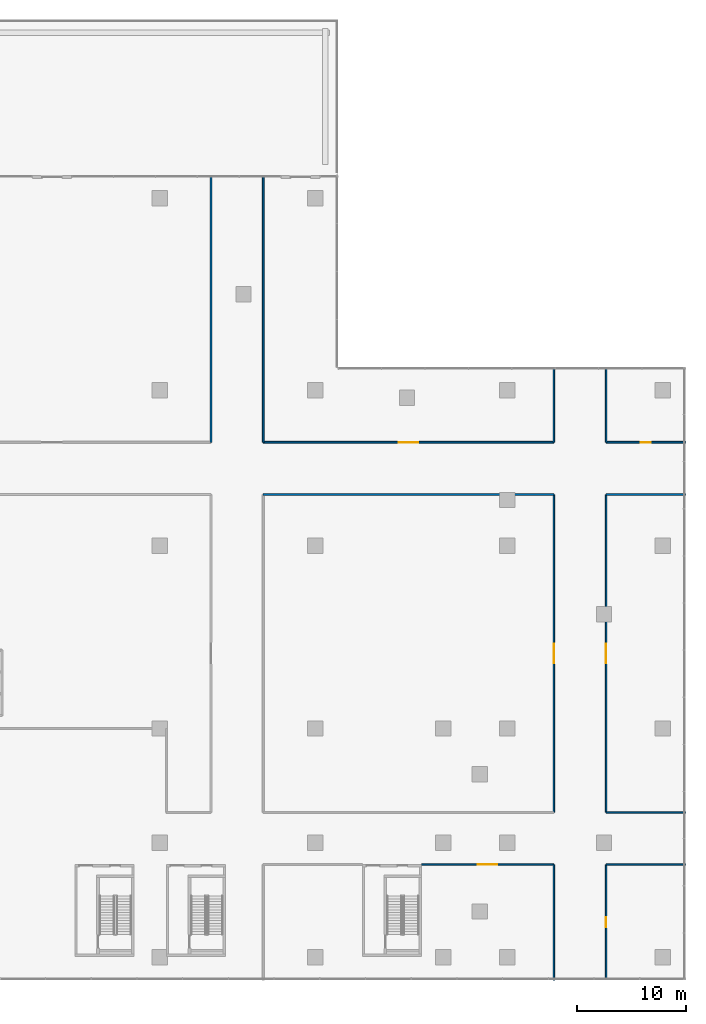
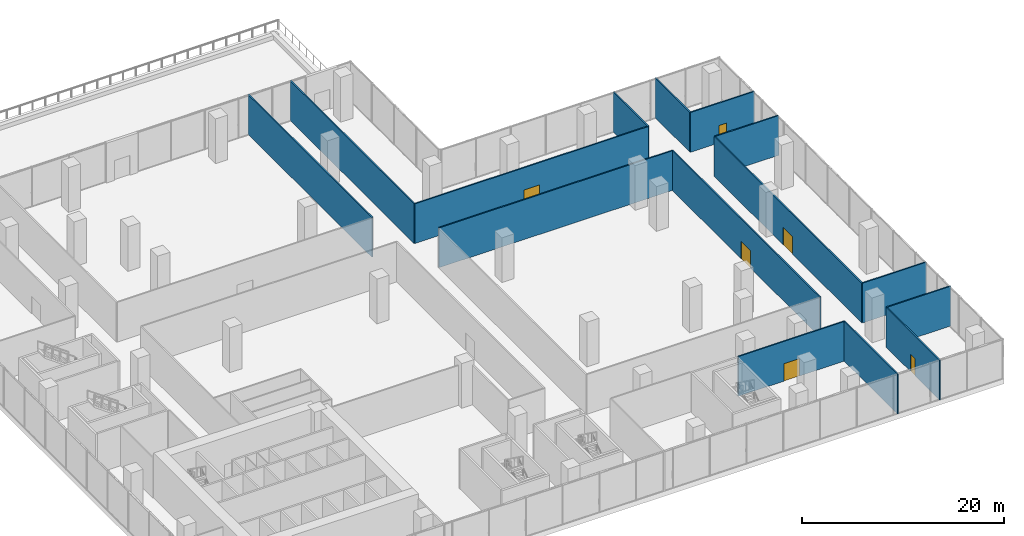
# One storey, part 17 of 24: 15 walls, 6 doors, 6 openings.
"""IFC4 building model written with IfcOpenShell, lengths in metres."""

from ifc_helpers import new_model, si_unit, direction, frame, frame_2d, origin, place, context, subcontext, project, spatial, rectangle, extrude, source, transform, mapped, material, layer, layer_set, type_object, element, fill, save


model = new_model("IFC4")

# Units and contexts
model_context = context("Model", 3, precision=1e-05, world=origin(), true_north=direction((0.0, 1.0)))
body_context = subcontext(model_context, "Body", "Model", "MODEL_VIEW")
ifc_project = project(units=[si_unit("LENGTHUNIT", "METRE"), si_unit("AREAUNIT", "SQUARE_METRE"), si_unit("VOLUMEUNIT", "CUBIC_METRE"), si_unit("PLANEANGLEUNIT", "RADIAN"), si_unit("MASSUNIT", "GRAM", prefix="KILO")], contexts=[model_context])

# Site, building, storey
site_placement = place(None, origin())
site = spatial("IfcSite", under=ifc_project, at=site_placement, CompositionType="ELEMENT")
building_placement = place(site_placement, origin())
building = spatial("IfcBuilding", under=site, at=building_placement, Name="Aurelian Terraces", CompositionType="ELEMENT")
storey_placement = place(building_placement, frame((0.0, 0.0, 12.9)))
storey = spatial("IfcBuildingStorey", under=building, at=storey_placement, Name="L02", CompositionType="ELEMENT", Elevation=12.9)

# Walls
ifc_material_1 = material(Name="Gypsum board on steel studs", Category="steel")
ifc_layer = layer(ifc_material_1, 0.15)
ifc_layer_set = layer_set([ifc_layer], Name="Special partition 150")
wall_type = type_object("IfcWallType", Name="Special partition 150", PredefinedType="PARTITIONING", material=ifc_layer_set)
shared_shape_1 = source(origin(), body_context, "Body", "SweptSolid", [
    extrude(rectangle(XDim=7.3, YDim=0.15, at=frame_2d((3.65, 0.0))), origin(), (0.0, 0.0, 1.0), 4.8),
])
for number, where, z_axis, x_axis, name in (
    (1, (78.8, 8.5, 0.0), (0.0, 0.0, 1.0), (1.0, 0.0, 0.0), "L02 partition W04"),
    (2, (78.8, 13.3, 0.0), (0.0, 0.0, 1.0), (1.0, 0.0, 0.0), "L02 partition W07"),
    (3, (78.8, 42.5, 0.0), (0.0, 0.0, 1.0), (1.0, 0.0, 0.0), "L02 partition W15"),
):
    element("IfcWall", number, at=place(storey_placement, frame(where, z_axis=z_axis, x_axis=x_axis)), inside=storey, type_object=wall_type, Name=name, PredefinedType="PARTITIONING", context=body_context, shape_type="MappedRepresentation", body=[
        mapped(shared_shape_1, transform((0.0, 0.0, 0.0), scale=1.0)),
    ])

# Wall, opening, door
wall_1_placement = place(storey_placement, frame((78.8, 47.3, 0.0), z_axis=(0.0, 0.0, 1.0), x_axis=(1.0, 0.0, 0.0)))
wall_1 = element("IfcWall", 4, at=wall_1_placement, inside=storey, type_object=wall_type, Name="L02 partition W19", PredefinedType="PARTITIONING", context=body_context, shape_type="MappedRepresentation", body=[
    mapped(shared_shape_1, transform((0.0, 0.0, 0.0), scale=1.0)),
])
shared_shape_2 = source(origin(), body_context, "Body", "SweptSolid", [
    extrude(rectangle(XDim=0.9, YDim=2.1, at=frame_2d((0.45, 1.05))), frame((0.0, 0.085, 0.0), z_axis=(0.0, -1.0, 0.0), x_axis=(1.0, 0.0, 0.0)), (0.0, 0.0, 1.0), 0.17),
])
opening_1_placement = place(wall_1_placement, frame((3.2, 0.0, 0.0)))
opening_1 = element("IfcOpeningElement", 5, at=opening_1_placement, cuts=wall_1, Name="Opening 70505", PredefinedType="OPENING", context=body_context, shape_type="MappedRepresentation", body=[
    mapped(shared_shape_2, transform((0.0, 0.0, 0.0), scale=1.0)),
])
ifc_material_2 = material(Name="Timber door leaf", Category="wood")
door_type_1 = type_object("IfcDoorType", Name="Special door 900x2100", OperationType="SINGLE_SWING_LEFT", PredefinedType="DOOR", material=ifc_material_2)
shared_shape_3 = source(origin(), body_context, "Body", "SweptSolid", [
    extrude(rectangle(XDim=0.9, YDim=2.1, at=frame_2d((0.45, 1.05))), frame((0.0, 0.025, 0.0), z_axis=(0.0, -1.0, 0.0), x_axis=(1.0, 0.0, 0.0)), (0.0, 0.0, 1.0), 0.05),
])
door_1_placement = place(opening_1_placement, origin())
door_1 = element("IfcDoor", 6, at=door_1_placement, inside=storey, type_object=door_type_1, Name="Door 70505", OperationType="SINGLE_SWING_LEFT", OverallHeight=2.1, OverallWidth=0.9, PredefinedType="DOOR", context=body_context, shape_type="MappedRepresentation", body=[
    mapped(shared_shape_3, transform((0.0, 0.0, 0.0), scale=1.0)),
])
fill(opening_1, door_1)

# Wall
shared_shape_4 = source(origin(), body_context, "Body", "SweptSolid", [
    extrude(rectangle(XDim=26.7, YDim=0.15, at=frame_2d((13.35, 0.0))), origin(), (0.0, 0.0, 1.0), 4.8),
])
wall_2_placement = place(storey_placement, frame((47.3, 42.5, 0.0), z_axis=(0.0, 0.0, 1.0), x_axis=(1.0, 0.0, 0.0)))
element("IfcWall", 7, at=wall_2_placement, inside=storey, type_object=wall_type, Name="L02 partition W14", PredefinedType="PARTITIONING", context=body_context, shape_type="MappedRepresentation", body=[
    mapped(shared_shape_4, transform((0.0, 0.0, 0.0), scale=1.0)),
])

# Wall, opening, door
wall_3_placement = place(storey_placement, frame((47.3, 47.3, 0.0), z_axis=(0.0, 0.0, 1.0), x_axis=(1.0, 0.0, 0.0)))
wall_3 = element("IfcWall", 8, at=wall_3_placement, inside=storey, type_object=wall_type, Name="L02 partition W18", PredefinedType="PARTITIONING", context=body_context, shape_type="MappedRepresentation", body=[
    mapped(shared_shape_4, transform((0.0, 0.0, 0.0), scale=1.0)),
])
shared_shape_5 = source(origin(), body_context, "Body", "SweptSolid", [
    extrude(rectangle(XDim=1.8, YDim=2.1, at=frame_2d((0.9, 1.05))), frame((0.0, 0.085, 0.0), z_axis=(0.0, -1.0, 0.0), x_axis=(1.0, 0.0, 0.0)), (0.0, 0.0, 1.0), 0.17),
])
opening_2_placement = place(wall_3_placement, frame((12.45, 0.0, 0.0)))
opening_2 = element("IfcOpeningElement", 9, at=opening_2_placement, cuts=wall_3, Name="Opening 70504", PredefinedType="OPENING", context=body_context, shape_type="MappedRepresentation", body=[
    mapped(shared_shape_5, transform((0.0, 0.0, 0.0), scale=1.0)),
])
door_type_2 = type_object("IfcDoorType", Name="Special double door 1800x2100", OperationType="DOUBLE_DOOR_SINGLE_SWING", PredefinedType="DOOR", material=ifc_material_2)
shared_shape_6 = source(origin(), body_context, "Body", "SweptSolid", [
    extrude(rectangle(XDim=1.8, YDim=2.1, at=frame_2d((0.9, 1.05))), frame((0.0, 0.025, 0.0), z_axis=(0.0, -1.0, 0.0), x_axis=(1.0, 0.0, 0.0)), (0.0, 0.0, 1.0), 0.05),
])
door_2_placement = place(opening_2_placement, origin())
door_2 = element("IfcDoor", 10, at=door_2_placement, inside=storey, type_object=door_type_2, Name="Door 70504", OperationType="DOUBLE_DOOR_SINGLE_SWING", OverallHeight=2.1, OverallWidth=1.8, PredefinedType="DOOR", context=body_context, shape_type="MappedRepresentation", body=[
    mapped(shared_shape_6, transform((0.0, 0.0, 0.0), scale=1.0)),
])
fill(opening_2, door_2)

shared_shape_7 = source(origin(), body_context, "Body", "SweptSolid", [
    extrude(rectangle(XDim=29.2, YDim=0.15, at=frame_2d((14.6, 0.0))), origin(), (0.0, 0.0, 1.0), 4.8),
])
wall_4_placement = place(storey_placement, frame((74.0, 13.3, 0.0), z_axis=(0.0, 0.0, 1.0), x_axis=(0.0, 1.0, 0.0)))
wall_4 = element("IfcWall", 11, at=wall_4_placement, inside=storey, type_object=wall_type, Name="L02 partition W36", PredefinedType="PARTITIONING", context=body_context, shape_type="MappedRepresentation", body=[
    mapped(shared_shape_7, transform((0.0, 0.0, 0.0), scale=1.0)),
])
opening_3_placement = place(wall_4_placement, frame((13.7, 0.0, 0.0)))
opening_3 = element("IfcOpeningElement", 12, at=opening_3_placement, cuts=wall_4, Name="Opening 70513", PredefinedType="OPENING", context=body_context, shape_type="MappedRepresentation", body=[
    mapped(shared_shape_5, transform((0.0, 0.0, 0.0), scale=1.0)),
])
door_3_placement = place(opening_3_placement, origin())
door_3 = element("IfcDoor", 13, at=door_3_placement, inside=storey, type_object=door_type_2, Name="Door 70513", OperationType="DOUBLE_DOOR_SINGLE_SWING", OverallHeight=2.1, OverallWidth=1.8, PredefinedType="DOOR", context=body_context, shape_type="MappedRepresentation", body=[
    mapped(shared_shape_6, transform((0.0, 0.0, 0.0), scale=1.0)),
])
fill(opening_3, door_3)

wall_5_placement = place(storey_placement, frame((78.8, 13.3, 0.0), z_axis=(0.0, 0.0, 1.0), x_axis=(0.0, 1.0, 0.0)))
wall_5 = element("IfcWall", 14, at=wall_5_placement, inside=storey, type_object=wall_type, Name="L02 partition W39", PredefinedType="PARTITIONING", context=body_context, shape_type="MappedRepresentation", body=[
    mapped(shared_shape_7, transform((0.0, 0.0, 0.0), scale=1.0)),
])
opening_4_placement = place(wall_5_placement, frame((13.7, 0.0, 0.0)))
opening_4 = element("IfcOpeningElement", 15, at=opening_4_placement, cuts=wall_5, Name="Opening 70515", PredefinedType="OPENING", context=body_context, shape_type="MappedRepresentation", body=[
    mapped(shared_shape_5, transform((0.0, 0.0, 0.0), scale=1.0)),
])
door_4_placement = place(opening_4_placement, origin())
door_4 = element("IfcDoor", 16, at=door_4_placement, inside=storey, type_object=door_type_2, Name="Door 70515", OperationType="DOUBLE_DOOR_SINGLE_SWING", OverallHeight=2.1, OverallWidth=1.8, PredefinedType="DOOR", context=body_context, shape_type="MappedRepresentation", body=[
    mapped(shared_shape_6, transform((0.0, 0.0, 0.0), scale=1.0)),
])
fill(opening_4, door_4)

# Wall
shared_shape_8 = source(origin(), body_context, "Body", "SweptSolid", [
    extrude(rectangle(XDim=10.6, YDim=0.15, at=frame_2d((5.3, 0.0))), origin(), (0.0, 0.0, 1.0), 4.8),
])
wall_6_placement = place(storey_placement, frame((74.0, -2.1, 0.0), z_axis=(0.0, 0.0, 1.0), x_axis=(0.0, 1.0, 0.0)))
element("IfcWall", 17, at=wall_6_placement, inside=storey, type_object=wall_type, Name="L02 partition W35", PredefinedType="PARTITIONING", context=body_context, shape_type="MappedRepresentation", body=[
    mapped(shared_shape_8, transform((0.0, 0.0, 0.0), scale=1.0)),
])

# Wall, opening, door
wall_7_placement = place(storey_placement, frame((78.8, -2.1, 0.0), z_axis=(0.0, 0.0, 1.0), x_axis=(0.0, 1.0, 0.0)))
wall_7 = element("IfcWall", 18, at=wall_7_placement, inside=storey, type_object=wall_type, Name="L02 partition W38", PredefinedType="PARTITIONING", context=body_context, shape_type="MappedRepresentation", body=[
    mapped(shared_shape_8, transform((0.0, 0.0, 0.0), scale=1.0)),
])
opening_5_placement = place(wall_7_placement, frame((4.85, 0.0, 0.0)))
opening_5 = element("IfcOpeningElement", 19, at=opening_5_placement, cuts=wall_7, Name="Opening 70514", PredefinedType="OPENING", context=body_context, shape_type="MappedRepresentation", body=[
    mapped(shared_shape_2, transform((0.0, 0.0, 0.0), scale=1.0)),
])
door_type_3 = type_object("IfcDoorType", Name="Special door 900x2100 right", OperationType="SINGLE_SWING_RIGHT", PredefinedType="DOOR", material=ifc_material_2)
door_5_placement = place(opening_5_placement, origin())
door_5 = element("IfcDoor", 20, at=door_5_placement, inside=storey, type_object=door_type_3, Name="Door 70514", OperationType="SINGLE_SWING_RIGHT", OverallHeight=2.1, OverallWidth=0.9, PredefinedType="DOOR", context=body_context, shape_type="MappedRepresentation", body=[
    mapped(shared_shape_3, transform((0.0, 0.0, 0.0), scale=1.0)),
])
fill(opening_5, door_5)

# Walls
shared_shape_9 = source(origin(), body_context, "Body", "SweptSolid", [
    extrude(rectangle(XDim=6.88, YDim=0.15, at=frame_2d((3.44, 0.0))), origin(), (0.0, 0.0, 1.0), 4.8),
])
for number, where, z_axis, x_axis, name in (
    (21, (74.0, 47.3, 0.0), (0.0, 0.0, 1.0), (0.0, 1.0, 0.0), "L02 partition W37"),
    (22, (78.8, 47.3, 0.0), (0.0, 0.0, 1.0), (0.0, 1.0, 0.0), "L02 partition W40"),
):
    element("IfcWall", number, at=place(storey_placement, frame(where, z_axis=z_axis, x_axis=x_axis)), inside=storey, type_object=wall_type, Name=name, PredefinedType="PARTITIONING", context=body_context, shape_type="MappedRepresentation", body=[
        mapped(shared_shape_9, transform((0.0, 0.0, 0.0), scale=1.0)),
    ])

# Wall, opening, door
shared_shape_10 = source(origin(), body_context, "Body", "SweptSolid", [
    extrude(rectangle(XDim=12.15, YDim=0.15, at=frame_2d((6.075, 0.0))), origin(), (0.0, 0.0, 1.0), 4.8),
])
wall_8_placement = place(storey_placement, frame((61.85, 8.5, 0.0), z_axis=(0.0, 0.0, 1.0), x_axis=(1.0, 0.0, 0.0)))
wall_8 = element("IfcWall", 23, at=wall_8_placement, inside=storey, type_object=wall_type, Name="L02 partition W03", PredefinedType="PARTITIONING", context=body_context, shape_type="MappedRepresentation", body=[
    mapped(shared_shape_10, transform((0.0, 0.0, 0.0), scale=1.0)),
])
opening_6_placement = place(wall_8_placement, frame((5.175, 0.0, 0.0)))
opening_6 = element("IfcOpeningElement", 24, at=opening_6_placement, cuts=wall_8, Name="Opening 70502", PredefinedType="OPENING", context=body_context, shape_type="MappedRepresentation", body=[
    mapped(shared_shape_5, transform((0.0, 0.0, 0.0), scale=1.0)),
])
door_6_placement = place(opening_6_placement, origin())
door_6 = element("IfcDoor", 25, at=door_6_placement, inside=storey, type_object=door_type_2, Name="Door 70502", OperationType="DOUBLE_DOOR_SINGLE_SWING", OverallHeight=2.1, OverallWidth=1.8, PredefinedType="DOOR", context=body_context, shape_type="MappedRepresentation", body=[
    mapped(shared_shape_6, transform((0.0, 0.0, 0.0), scale=1.0)),
])
fill(opening_6, door_6)

# Walls
shared_shape_11 = source(origin(), body_context, "Body", "SweptSolid", [
    extrude(rectangle(XDim=24.52, YDim=0.15, at=frame_2d((12.26, 0.0))), origin(), (0.0, 0.0, 1.0), 4.8),
])
for number, where, z_axis, x_axis, name in (
    (26, (42.5, 47.3, 0.0), (0.0, 0.0, 1.0), (0.0, 1.0, 0.0), "L02 partition W31"),
    (27, (47.3, 47.3, 0.0), (0.0, 0.0, 1.0), (0.0, 1.0, 0.0), "L02 partition W34"),
):
    element("IfcWall", number, at=place(storey_placement, frame(where, z_axis=z_axis, x_axis=x_axis)), inside=storey, type_object=wall_type, Name=name, PredefinedType="PARTITIONING", context=body_context, shape_type="MappedRepresentation", body=[
        mapped(shared_shape_11, transform((0.0, 0.0, 0.0), scale=1.0)),
    ])

save(model, "model.ifc")
